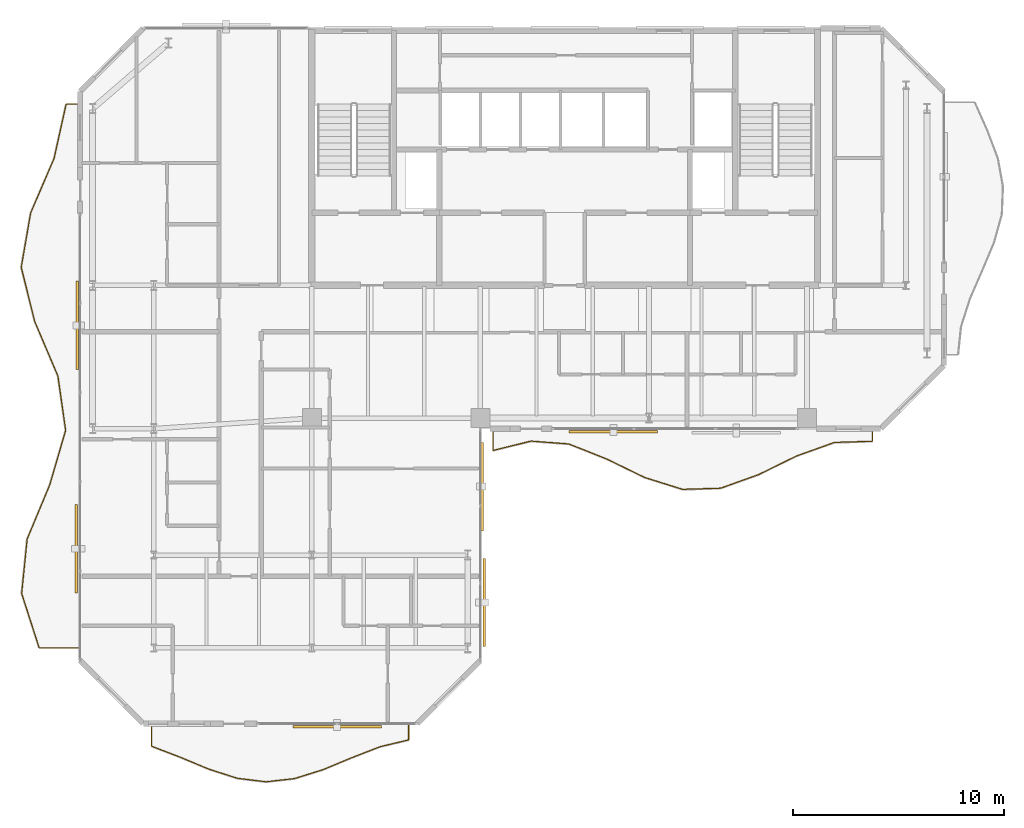
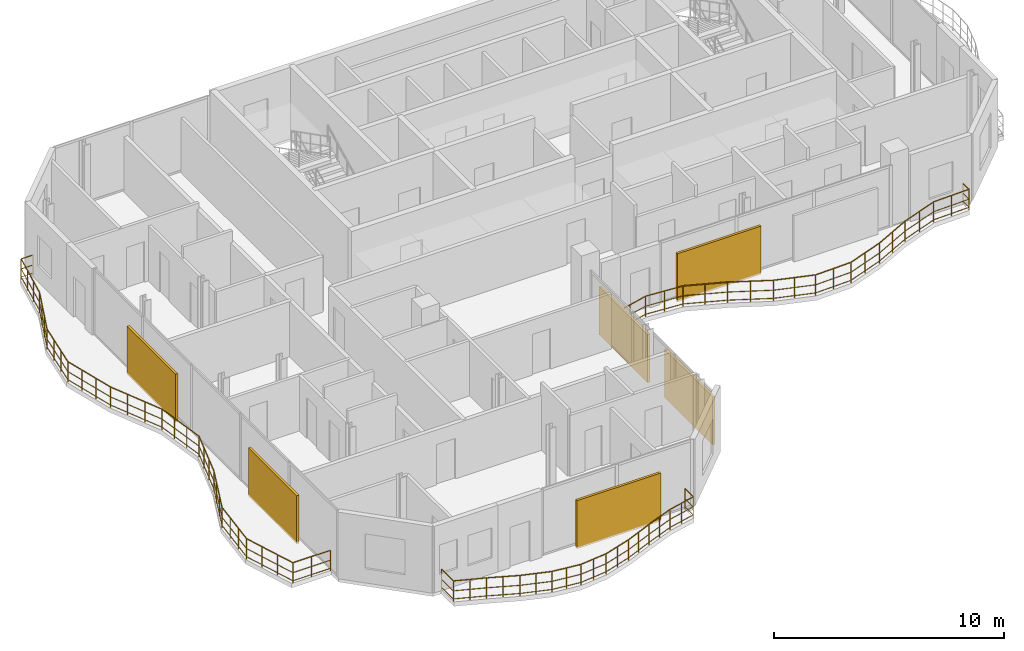
# One storey, part 21 of 22: 6 shading devices, 3 railings.
"""IFC4 building model written with IfcOpenShell, lengths in metres."""

from ifc_helpers import new_model, si_unit, direction, frame, origin, origin_2d, place, context, subcontext, project, spatial, rectangle, circle, extrude, material, type_object, element, save


model = new_model("IFC4")

# Units and contexts
model_context = context("Model", 3, precision=1e-05, world=origin(), true_north=direction((0.0, 1.0)))
body_context = subcontext(model_context, "Body", "Model", "MODEL_VIEW")
ifc_project = project(units=[si_unit("LENGTHUNIT", "METRE"), si_unit("AREAUNIT", "SQUARE_METRE"), si_unit("VOLUMEUNIT", "CUBIC_METRE"), si_unit("PLANEANGLEUNIT", "RADIAN"), si_unit("MASSUNIT", "GRAM", prefix="KILO")], contexts=[model_context])

# Site, building, storey
site_placement = place(None, origin())
site = spatial("IfcSite", under=ifc_project, at=site_placement, CompositionType="ELEMENT")
building_placement = place(site_placement, origin())
building = spatial("IfcBuilding", under=site, at=building_placement, Name="Catumbela Crestline Tower", CompositionType="ELEMENT")
storey_placement = place(building_placement, frame((0.0, 0.0, 222.2)))
storey = spatial("IfcBuildingStorey", under=building, at=storey_placement, Name="L57", CompositionType="ELEMENT", Elevation=222.2)

# Railings
ifc_material_1 = material(Name="Stainless steel EN 1.4401", Category="steel")
railing_type = type_object("IfcRailingType", Name="RB-1100", PredefinedType="BALUSTRADE", material=ifc_material_1)
railing_1_placement = place(storey_placement, frame((24.6, 23.94, 0.0)))
element("IfcRailing", 1, at=railing_1_placement, inside=storey, type_object=railing_type, Name="L57 Private Wave Balcony Balustrade 1", PredefinedType="BALUSTRADE", context=body_context, shape_type="SweptSolid", body=[
    extrude(circle(Radius=0.024, at=origin_2d()), frame((0.0, 0.0, 1.076), z_axis=(0.0, -1.0, 0.0), x_axis=(1.0, 0.0, 0.0)), (0.0, 0.0, 1.0), 0.9747),
    extrude(circle(Radius=0.0156, at=origin_2d()), frame((0.0, 0.0, 0.55), z_axis=(0.0, -1.0, 0.0), x_axis=(1.0, 0.0, 0.0)), (0.0, 0.0, 1.0), 0.9747),
    extrude(circle(Radius=0.0156, at=origin_2d()), frame((0.0, 0.0, 0.12), z_axis=(0.0, -1.0, 0.0), x_axis=(1.0, 0.0, 0.0)), (0.0, 0.0, 1.0), 0.9747),
    extrude(circle(Radius=0.024, at=origin_2d()), frame((0.0, -0.9747, 1.076), z_axis=(0.97081135802, 0.239844339395, 0.0), x_axis=(-0.239844339395, 0.97081135802, 0.0)), (0.0, 0.0, 1.0), 1.8541),
    extrude(circle(Radius=0.0156, at=origin_2d()), frame((0.0, -0.9747, 0.55), z_axis=(0.97081135802, 0.239844339395, 0.0), x_axis=(-0.239844339395, 0.97081135802, 0.0)), (0.0, 0.0, 1.0), 1.8541),
    extrude(circle(Radius=0.0156, at=origin_2d()), frame((0.0, -0.9747, 0.12), z_axis=(0.97081135802, 0.239844339395, 0.0), x_axis=(-0.239844339395, 0.97081135802, 0.0)), (0.0, 0.0, 1.0), 1.8541),
    extrude(circle(Radius=0.024, at=origin_2d()), frame((1.8, -0.53, 1.076), z_axis=(0.9971244509, -0.075781458268, 0.0), x_axis=(0.075781458268, 0.9971244509, 0.0)), (0.0, 0.0, 1.0), 1.8052),
    extrude(circle(Radius=0.0156, at=origin_2d()), frame((1.8, -0.53, 0.55), z_axis=(0.9971244509, -0.075781458268, 0.0), x_axis=(0.075781458268, 0.9971244509, 0.0)), (0.0, 0.0, 1.0), 1.8052),
    extrude(circle(Radius=0.0156, at=origin_2d()), frame((1.8, -0.53, 0.12), z_axis=(0.9971244509, -0.075781458268, 0.0), x_axis=(0.075781458268, 0.9971244509, 0.0)), (0.0, 0.0, 1.0), 1.8052),
    extrude(circle(Radius=0.024, at=origin_2d()), frame((3.6, -0.6668, 1.076), z_axis=(0.929399644581, -0.369074925526, 0.0), x_axis=(0.369074925526, 0.929399644581, 0.0)), (0.0, 0.0, 1.0), 1.9367),
    extrude(circle(Radius=0.0156, at=origin_2d()), frame((3.6, -0.6668, 0.55), z_axis=(0.929399644581, -0.369074925526, 0.0), x_axis=(0.369074925526, 0.929399644581, 0.0)), (0.0, 0.0, 1.0), 1.9367),
    extrude(circle(Radius=0.0156, at=origin_2d()), frame((3.6, -0.6668, 0.12), z_axis=(0.929399644581, -0.369074925526, 0.0), x_axis=(0.369074925526, 0.929399644581, 0.0)), (0.0, 0.0, 1.0), 1.9367),
    extrude(circle(Radius=0.024, at=origin_2d()), frame((5.4, -1.3816, 1.076), z_axis=(0.899073055886, -0.437798629714, 0.0), x_axis=(0.437798629714, 0.899073055886, 0.0)), (0.0, 0.0, 1.0), 2.0021),
    extrude(circle(Radius=0.0156, at=origin_2d()), frame((5.4, -1.3816, 0.55), z_axis=(0.899073055886, -0.437798629714, 0.0), x_axis=(0.437798629714, 0.899073055886, 0.0)), (0.0, 0.0, 1.0), 2.0021),
    extrude(circle(Radius=0.0156, at=origin_2d()), frame((5.4, -1.3816, 0.12), z_axis=(0.899073055886, -0.437798629714, 0.0), x_axis=(0.437798629714, 0.899073055886, 0.0)), (0.0, 0.0, 1.0), 2.0021),
    extrude(circle(Radius=0.024, at=origin_2d()), frame((7.2, -2.2581, 1.076), z_axis=(0.954374253933, -0.298613099897, 0.0), x_axis=(0.298613099897, 0.954374253933, 0.0)), (0.0, 0.0, 1.0), 1.8861),
    extrude(circle(Radius=0.0156, at=origin_2d()), frame((7.2, -2.2581, 0.55), z_axis=(0.954374253933, -0.298613099897, 0.0), x_axis=(0.298613099897, 0.954374253933, 0.0)), (0.0, 0.0, 1.0), 1.8861),
    extrude(circle(Radius=0.0156, at=origin_2d()), frame((7.2, -2.2581, 0.12), z_axis=(0.954374253933, -0.298613099897, 0.0), x_axis=(0.298613099897, 0.954374253933, 0.0)), (0.0, 0.0, 1.0), 1.8861),
    extrude(circle(Radius=0.024, at=origin_2d()), frame((9.0, -2.8213, 1.076), z_axis=(0.999524991442, 0.030818687236, 0.0), x_axis=(-0.030818687236, 0.999524991442, 0.0)), (0.0, 0.0, 1.0), 1.8009),
    extrude(circle(Radius=0.0156, at=origin_2d()), frame((9.0, -2.8213, 0.55), z_axis=(0.999524991442, 0.030818687236, 0.0), x_axis=(-0.030818687236, 0.999524991442, 0.0)), (0.0, 0.0, 1.0), 1.8009),
    extrude(circle(Radius=0.0156, at=origin_2d()), frame((9.0, -2.8213, 0.12), z_axis=(0.999524991442, 0.030818687236, 0.0), x_axis=(-0.030818687236, 0.999524991442, 0.0)), (0.0, 0.0, 1.0), 1.8009),
    extrude(circle(Radius=0.024, at=origin_2d()), frame((10.8, -2.7658, 1.076), z_axis=(0.941535818516, 0.336912900392, 0.0), x_axis=(-0.336912900392, 0.941535818516, 0.0)), (0.0, 0.0, 1.0), 1.9118),
    extrude(circle(Radius=0.0156, at=origin_2d()), frame((10.8, -2.7658, 0.55), z_axis=(0.941535818516, 0.336912900392, 0.0), x_axis=(-0.336912900392, 0.941535818516, 0.0)), (0.0, 0.0, 1.0), 1.9118),
    extrude(circle(Radius=0.0156, at=origin_2d()), frame((10.8, -2.7658, 0.12), z_axis=(0.941535818516, 0.336912900392, 0.0), x_axis=(-0.336912900392, 0.941535818516, 0.0)), (0.0, 0.0, 1.0), 1.9118),
    extrude(circle(Radius=0.024, at=origin_2d()), frame((12.6, -2.1217, 1.076), z_axis=(0.897714236936, 0.440578198283, 0.0), x_axis=(-0.440578198283, 0.897714236936, 0.0)), (0.0, 0.0, 1.0), 2.0051),
    extrude(circle(Radius=0.0156, at=origin_2d()), frame((12.6, -2.1217, 0.55), z_axis=(0.897714236936, 0.440578198283, 0.0), x_axis=(-0.440578198283, 0.897714236936, 0.0)), (0.0, 0.0, 1.0), 2.0051),
    extrude(circle(Radius=0.0156, at=origin_2d()), frame((12.6, -2.1217, 0.12), z_axis=(0.897714236936, 0.440578198283, 0.0), x_axis=(-0.440578198283, 0.897714236936, 0.0)), (0.0, 0.0, 1.0), 2.0051),
    extrude(circle(Radius=0.024, at=origin_2d()), frame((14.4, -1.2383, 1.076), z_axis=(0.941535818516, 0.336912900392, 0.0), x_axis=(-0.336912900392, 0.941535818516, 0.0)), (0.0, 0.0, 1.0), 1.9118),
    extrude(circle(Radius=0.0156, at=origin_2d()), frame((14.4, -1.2383, 0.55), z_axis=(0.941535818516, 0.336912900392, 0.0), x_axis=(-0.336912900392, 0.941535818516, 0.0)), (0.0, 0.0, 1.0), 1.9118),
    extrude(circle(Radius=0.0156, at=origin_2d()), frame((14.4, -1.2383, 0.12), z_axis=(0.941535818516, 0.336912900392, 0.0), x_axis=(-0.336912900392, 0.941535818516, 0.0)), (0.0, 0.0, 1.0), 1.9118),
    extrude(circle(Radius=0.024, at=origin_2d()), frame((16.2, -0.5942, 1.076), z_axis=(0.999524991442, 0.030818687236, 0.0), x_axis=(-0.030818687236, 0.999524991442, 0.0)), (0.0, 0.0, 1.0), 1.8009),
    extrude(circle(Radius=0.0156, at=origin_2d()), frame((16.2, -0.5942, 0.55), z_axis=(0.999524991442, 0.030818687236, 0.0), x_axis=(-0.030818687236, 0.999524991442, 0.0)), (0.0, 0.0, 1.0), 1.8009),
    extrude(circle(Radius=0.0156, at=origin_2d()), frame((16.2, -0.5942, 0.12), z_axis=(0.999524991442, 0.030818687236, 0.0), x_axis=(-0.030818687236, 0.999524991442, 0.0)), (0.0, 0.0, 1.0), 1.8009),
    extrude(circle(Radius=0.024, at=origin_2d()), frame((18.0, -0.5387, 1.076), z_axis=(0.0, 1.0, 0.0), x_axis=(-1.0, 0.0, 0.0)), (0.0, 0.0, 1.0), 0.5387),
    extrude(circle(Radius=0.0156, at=origin_2d()), frame((18.0, -0.5387, 0.55), z_axis=(0.0, 1.0, 0.0), x_axis=(-1.0, 0.0, 0.0)), (0.0, 0.0, 1.0), 0.5387),
    extrude(circle(Radius=0.0156, at=origin_2d()), frame((18.0, -0.5387, 0.12), z_axis=(0.0, 1.0, 0.0), x_axis=(-1.0, 0.0, 0.0)), (0.0, 0.0, 1.0), 0.5387),
    extrude(circle(Radius=0.021, at=origin_2d()), origin(), (0.0, 0.0, 1.0), 1.052),
    extrude(circle(Radius=0.021, at=origin_2d()), frame((0.0, -0.9747, 0.0)), (0.0, 0.0, 1.0), 1.052),
    extrude(circle(Radius=0.021, at=origin_2d()), frame((0.9, -0.7524, 0.0)), (0.0, 0.0, 1.0), 1.052),
    extrude(circle(Radius=0.021, at=origin_2d()), frame((1.8, -0.53, 0.0)), (0.0, 0.0, 1.0), 1.052),
    extrude(circle(Radius=0.021, at=origin_2d()), frame((2.7, -0.5984, 0.0)), (0.0, 0.0, 1.0), 1.052),
    extrude(circle(Radius=0.021, at=origin_2d()), frame((3.6, -0.6668, 0.0)), (0.0, 0.0, 1.0), 1.052),
    extrude(circle(Radius=0.021, at=origin_2d()), frame((4.5, -1.0242, 0.0)), (0.0, 0.0, 1.0), 1.052),
    extrude(circle(Radius=0.021, at=origin_2d()), frame((5.4, -1.3816, 0.0)), (0.0, 0.0, 1.0), 1.052),
    extrude(circle(Radius=0.021, at=origin_2d()), frame((6.3, -1.8199, 0.0)), (0.0, 0.0, 1.0), 1.052),
    extrude(circle(Radius=0.021, at=origin_2d()), frame((7.2, -2.2581, 0.0)), (0.0, 0.0, 1.0), 1.052),
    extrude(circle(Radius=0.021, at=origin_2d()), frame((8.1, -2.5397, 0.0)), (0.0, 0.0, 1.0), 1.052),
    extrude(circle(Radius=0.021, at=origin_2d()), frame((9.0, -2.8213, 0.0)), (0.0, 0.0, 1.0), 1.052),
    extrude(circle(Radius=0.021, at=origin_2d()), frame((9.9, -2.7936, 0.0)), (0.0, 0.0, 1.0), 1.052),
    extrude(circle(Radius=0.021, at=origin_2d()), frame((10.8, -2.7658, 0.0)), (0.0, 0.0, 1.0), 1.052),
    extrude(circle(Radius=0.021, at=origin_2d()), frame((11.7, -2.4438, 0.0)), (0.0, 0.0, 1.0), 1.052),
    extrude(circle(Radius=0.021, at=origin_2d()), frame((12.6, -2.1217, 0.0)), (0.0, 0.0, 1.0), 1.052),
    extrude(circle(Radius=0.021, at=origin_2d()), frame((13.5, -1.68, 0.0)), (0.0, 0.0, 1.0), 1.052),
    extrude(circle(Radius=0.021, at=origin_2d()), frame((14.4, -1.2383, 0.0)), (0.0, 0.0, 1.0), 1.052),
    extrude(circle(Radius=0.021, at=origin_2d()), frame((15.3, -0.9163, 0.0)), (0.0, 0.0, 1.0), 1.052),
    extrude(circle(Radius=0.021, at=origin_2d()), frame((16.2, -0.5942, 0.0)), (0.0, 0.0, 1.0), 1.052),
    extrude(circle(Radius=0.021, at=origin_2d()), frame((17.1, -0.5665, 0.0)), (0.0, 0.0, 1.0), 1.052),
    extrude(circle(Radius=0.021, at=origin_2d()), frame((18.0, -0.5387, 0.0)), (0.0, 0.0, 1.0), 1.052),
    extrude(circle(Radius=0.021, at=origin_2d()), frame((18.0, 0.0, 0.0)), (0.0, 0.0, 1.0), 1.052),
])
railing_2_placement = place(storey_placement, frame((8.4, 9.94, 0.0)))
element("IfcRailing", 2, at=railing_2_placement, inside=storey, type_object=railing_type, Name="L57 Private Wave Balcony Balustrade 3", PredefinedType="BALUSTRADE", context=body_context, shape_type="SweptSolid", body=[
    extrude(circle(Radius=0.024, at=origin_2d()), frame((0.0, 0.0, 1.076), z_axis=(0.0, -1.0, 0.0), x_axis=(1.0, 0.0, 0.0)), (0.0, 0.0, 1.0), 1.0126),
    extrude(circle(Radius=0.0156, at=origin_2d()), frame((0.0, 0.0, 0.55), z_axis=(0.0, -1.0, 0.0), x_axis=(1.0, 0.0, 0.0)), (0.0, 0.0, 1.0), 1.0126),
    extrude(circle(Radius=0.0156, at=origin_2d()), frame((0.0, 0.0, 0.12), z_axis=(0.0, -1.0, 0.0), x_axis=(1.0, 0.0, 0.0)), (0.0, 0.0, 1.0), 1.0126),
    extrude(circle(Radius=0.024, at=origin_2d()), frame((0.0, -1.0126, 1.076), z_axis=(0.933756860318, -0.357907985115, 0.0), x_axis=(0.357907985115, 0.933756860318, 0.0)), (0.0, 0.0, 1.0), 1.4518),
    extrude(circle(Radius=0.0156, at=origin_2d()), frame((0.0, -1.0126, 0.55), z_axis=(0.933756860318, -0.357907985115, 0.0), x_axis=(0.357907985115, 0.933756860318, 0.0)), (0.0, 0.0, 1.0), 1.4518),
    extrude(circle(Radius=0.0156, at=origin_2d()), frame((0.0, -1.0126, 0.12), z_axis=(0.933756860318, -0.357907985115, 0.0), x_axis=(0.357907985115, 0.933756860318, 0.0)), (0.0, 0.0, 1.0), 1.4518),
    extrude(circle(Radius=0.024, at=origin_2d()), frame((1.3556, -1.5322, 1.076), z_axis=(0.922808814946, -0.385258213484, 0.0), x_axis=(0.385258213484, 0.922808814946, 0.0)), (0.0, 0.0, 1.0), 1.4689),
    extrude(circle(Radius=0.0156, at=origin_2d()), frame((1.3556, -1.5322, 0.55), z_axis=(0.922808814946, -0.385258213484, 0.0), x_axis=(0.385258213484, 0.922808814946, 0.0)), (0.0, 0.0, 1.0), 1.4689),
    extrude(circle(Radius=0.0156, at=origin_2d()), frame((1.3556, -1.5322, 0.12), z_axis=(0.922808814946, -0.385258213484, 0.0), x_axis=(0.385258213484, 0.922808814946, 0.0)), (0.0, 0.0, 1.0), 1.4689),
    extrude(circle(Radius=0.024, at=origin_2d()), frame((2.7111, -2.0981, 1.076), z_axis=(0.952238826907, -0.305354247607, 0.0), x_axis=(0.305354247607, 0.952238826907, 0.0)), (0.0, 0.0, 1.0), 1.4236),
    extrude(circle(Radius=0.0156, at=origin_2d()), frame((2.7111, -2.0981, 0.55), z_axis=(0.952238826907, -0.305354247607, 0.0), x_axis=(0.305354247607, 0.952238826907, 0.0)), (0.0, 0.0, 1.0), 1.4236),
    extrude(circle(Radius=0.0156, at=origin_2d()), frame((2.7111, -2.0981, 0.12), z_axis=(0.952238826907, -0.305354247607, 0.0), x_axis=(0.305354247607, 0.952238826907, 0.0)), (0.0, 0.0, 1.0), 1.4236),
    extrude(circle(Radius=0.024, at=origin_2d()), frame((4.0667, -2.5328, 1.076), z_axis=(0.992487091948, -0.122349386252, 0.0), x_axis=(0.122349386252, 0.992487091948, 0.0)), (0.0, 0.0, 1.0), 1.3658),
    extrude(circle(Radius=0.0156, at=origin_2d()), frame((4.0667, -2.5328, 0.55), z_axis=(0.992487091948, -0.122349386252, 0.0), x_axis=(0.122349386252, 0.992487091948, 0.0)), (0.0, 0.0, 1.0), 1.3658),
    extrude(circle(Radius=0.0156, at=origin_2d()), frame((4.0667, -2.5328, 0.12), z_axis=(0.992487091948, -0.122349386252, 0.0), x_axis=(0.122349386252, 0.992487091948, 0.0)), (0.0, 0.0, 1.0), 1.3658),
    extrude(circle(Radius=0.024, at=origin_2d()), frame((5.4222, -2.6999, 1.076), z_axis=(0.993690941314, 0.112153079095, 0.0), x_axis=(-0.112153079095, 0.993690941314, 0.0)), (0.0, 0.0, 1.0), 1.3642),
    extrude(circle(Radius=0.0156, at=origin_2d()), frame((5.4222, -2.6999, 0.55), z_axis=(0.993690941314, 0.112153079095, 0.0), x_axis=(-0.112153079095, 0.993690941314, 0.0)), (0.0, 0.0, 1.0), 1.3642),
    extrude(circle(Radius=0.0156, at=origin_2d()), frame((5.4222, -2.6999, 0.12), z_axis=(0.993690941314, 0.112153079095, 0.0), x_axis=(-0.112153079095, 0.993690941314, 0.0)), (0.0, 0.0, 1.0), 1.3642),
    extrude(circle(Radius=0.024, at=origin_2d()), frame((6.7778, -2.5469, 1.076), z_axis=(0.954177625861, 0.299240803212, 0.0), x_axis=(-0.299240803212, 0.954177625861, 0.0)), (0.0, 0.0, 1.0), 1.4206),
    extrude(circle(Radius=0.0156, at=origin_2d()), frame((6.7778, -2.5469, 0.55), z_axis=(0.954177625861, 0.299240803212, 0.0), x_axis=(-0.299240803212, 0.954177625861, 0.0)), (0.0, 0.0, 1.0), 1.4206),
    extrude(circle(Radius=0.0156, at=origin_2d()), frame((6.7778, -2.5469, 0.12), z_axis=(0.954177625861, 0.299240803212, 0.0), x_axis=(-0.299240803212, 0.954177625861, 0.0)), (0.0, 0.0, 1.0), 1.4206),
    extrude(circle(Radius=0.024, at=origin_2d()), frame((8.1333, -2.1218, 1.076), z_axis=(0.92335075611, 0.383957525243, 0.0), x_axis=(-0.383957525243, 0.92335075611, 0.0)), (0.0, 0.0, 1.0), 1.4681),
    extrude(circle(Radius=0.0156, at=origin_2d()), frame((8.1333, -2.1218, 0.55), z_axis=(0.92335075611, 0.383957525243, 0.0), x_axis=(-0.383957525243, 0.92335075611, 0.0)), (0.0, 0.0, 1.0), 1.4681),
    extrude(circle(Radius=0.0156, at=origin_2d()), frame((8.1333, -2.1218, 0.12), z_axis=(0.92335075611, 0.383957525243, 0.0), x_axis=(-0.383957525243, 0.92335075611, 0.0)), (0.0, 0.0, 1.0), 1.4681),
    extrude(circle(Radius=0.024, at=origin_2d()), frame((9.4889, -1.5581, 1.076), z_axis=(0.932384965915, 0.361466838501, 0.0), x_axis=(-0.361466838501, 0.932384965915, 0.0)), (0.0, 0.0, 1.0), 1.4538),
    extrude(circle(Radius=0.0156, at=origin_2d()), frame((9.4889, -1.5581, 0.55), z_axis=(0.932384965915, 0.361466838501, 0.0), x_axis=(-0.361466838501, 0.932384965915, 0.0)), (0.0, 0.0, 1.0), 1.4538),
    extrude(circle(Radius=0.0156, at=origin_2d()), frame((9.4889, -1.5581, 0.12), z_axis=(0.932384965915, 0.361466838501, 0.0), x_axis=(-0.361466838501, 0.932384965915, 0.0)), (0.0, 0.0, 1.0), 1.4538),
    extrude(circle(Radius=0.024, at=origin_2d()), frame((10.8444, -1.0326, 1.076), z_axis=(0.972880857793, 0.231306801761, 0.0), x_axis=(-0.231306801761, 0.972880857793, 0.0)), (0.0, 0.0, 1.0), 1.3934),
    extrude(circle(Radius=0.0156, at=origin_2d()), frame((10.8444, -1.0326, 0.55), z_axis=(0.972880857793, 0.231306801761, 0.0), x_axis=(-0.231306801761, 0.972880857793, 0.0)), (0.0, 0.0, 1.0), 1.3934),
    extrude(circle(Radius=0.0156, at=origin_2d()), frame((10.8444, -1.0326, 0.12), z_axis=(0.972880857793, 0.231306801761, 0.0), x_axis=(-0.231306801761, 0.972880857793, 0.0)), (0.0, 0.0, 1.0), 1.3934),
    extrude(circle(Radius=0.024, at=origin_2d()), frame((12.2, -0.7103, 1.076), z_axis=(0.0, 1.0, 0.0), x_axis=(-1.0, 0.0, 0.0)), (0.0, 0.0, 1.0), 0.7103),
    extrude(circle(Radius=0.0156, at=origin_2d()), frame((12.2, -0.7103, 0.55), z_axis=(0.0, 1.0, 0.0), x_axis=(-1.0, 0.0, 0.0)), (0.0, 0.0, 1.0), 0.7103),
    extrude(circle(Radius=0.0156, at=origin_2d()), frame((12.2, -0.7103, 0.12), z_axis=(0.0, 1.0, 0.0), x_axis=(-1.0, 0.0, 0.0)), (0.0, 0.0, 1.0), 0.7103),
    extrude(circle(Radius=0.021, at=origin_2d()), origin(), (0.0, 0.0, 1.0), 1.052),
    extrude(circle(Radius=0.021, at=origin_2d()), frame((0.0, -1.0126, 0.0)), (0.0, 0.0, 1.0), 1.052),
    extrude(circle(Radius=0.021, at=origin_2d()), frame((0.6778, -1.2724, 0.0)), (0.0, 0.0, 1.0), 1.052),
    extrude(circle(Radius=0.021, at=origin_2d()), frame((1.3556, -1.5322, 0.0)), (0.0, 0.0, 1.0), 1.052),
    extrude(circle(Radius=0.021, at=origin_2d()), frame((2.0333, -1.8151, 0.0)), (0.0, 0.0, 1.0), 1.052),
    extrude(circle(Radius=0.021, at=origin_2d()), frame((2.7111, -2.0981, 0.0)), (0.0, 0.0, 1.0), 1.052),
    extrude(circle(Radius=0.021, at=origin_2d()), frame((3.3889, -2.3154, 0.0)), (0.0, 0.0, 1.0), 1.052),
    extrude(circle(Radius=0.021, at=origin_2d()), frame((4.0667, -2.5328, 0.0)), (0.0, 0.0, 1.0), 1.052),
    extrude(circle(Radius=0.021, at=origin_2d()), frame((4.7444, -2.6163, 0.0)), (0.0, 0.0, 1.0), 1.052),
    extrude(circle(Radius=0.021, at=origin_2d()), frame((5.4222, -2.6999, 0.0)), (0.0, 0.0, 1.0), 1.052),
    extrude(circle(Radius=0.021, at=origin_2d()), frame((6.1, -2.6234, 0.0)), (0.0, 0.0, 1.0), 1.052),
    extrude(circle(Radius=0.021, at=origin_2d()), frame((6.7778, -2.5469, 0.0)), (0.0, 0.0, 1.0), 1.052),
    extrude(circle(Radius=0.021, at=origin_2d()), frame((7.4556, -2.3343, 0.0)), (0.0, 0.0, 1.0), 1.052),
    extrude(circle(Radius=0.021, at=origin_2d()), frame((8.1333, -2.1218, 0.0)), (0.0, 0.0, 1.0), 1.052),
    extrude(circle(Radius=0.021, at=origin_2d()), frame((8.8111, -1.8399, 0.0)), (0.0, 0.0, 1.0), 1.052),
    extrude(circle(Radius=0.021, at=origin_2d()), frame((9.4889, -1.5581, 0.0)), (0.0, 0.0, 1.0), 1.052),
    extrude(circle(Radius=0.021, at=origin_2d()), frame((10.1666, -1.2953, 0.0)), (0.0, 0.0, 1.0), 1.052),
    extrude(circle(Radius=0.021, at=origin_2d()), frame((10.8444, -1.0326, 0.0)), (0.0, 0.0, 1.0), 1.052),
    extrude(circle(Radius=0.021, at=origin_2d()), frame((11.5222, -0.8714, 0.0)), (0.0, 0.0, 1.0), 1.052),
    extrude(circle(Radius=0.021, at=origin_2d()), frame((12.2, -0.7103, 0.0)), (0.0, 0.0, 1.0), 1.052),
    extrude(circle(Radius=0.021, at=origin_2d()), frame((12.2, 0.0, 0.0)), (0.0, 0.0, 1.0), 1.052),
])
railing_3_placement = place(storey_placement, frame((4.94, 39.4, 0.0)))
element("IfcRailing", 3, at=railing_3_placement, inside=storey, type_object=railing_type, Name="L57 Private Wave Balcony Balustrade 4", PredefinedType="BALUSTRADE", context=body_context, shape_type="SweptSolid", body=[
    extrude(circle(Radius=0.024, at=origin_2d()), frame((0.0, 0.0, 1.076), z_axis=(-1.0, 0.0, 0.0), x_axis=(0.0, -1.0, 0.0)), (0.0, 0.0, 1.0), 0.6),
    extrude(circle(Radius=0.0156, at=origin_2d()), frame((0.0, 0.0, 0.55), z_axis=(-1.0, 0.0, 0.0), x_axis=(0.0, -1.0, 0.0)), (0.0, 0.0, 1.0), 0.6),
    extrude(circle(Radius=0.0156, at=origin_2d()), frame((0.0, 0.0, 0.12), z_axis=(-1.0, 0.0, 0.0), x_axis=(0.0, -1.0, 0.0)), (0.0, 0.0, 1.0), 0.6),
    extrude(circle(Radius=0.024, at=origin_2d()), frame((-0.6, 0.0, 1.076), z_axis=(-0.21691843905, -0.976189730944, 0.0), x_axis=(0.976189730944, -0.21691843905, 0.0)), (0.0, 0.0, 1.0), 2.6429),
    extrude(circle(Radius=0.0156, at=origin_2d()), frame((-0.6, 0.0, 0.55), z_axis=(-0.21691843905, -0.976189730944, 0.0), x_axis=(0.976189730944, -0.21691843905, 0.0)), (0.0, 0.0, 1.0), 2.6429),
    extrude(circle(Radius=0.0156, at=origin_2d()), frame((-0.6, 0.0, 0.12), z_axis=(-0.21691843905, -0.976189730944, 0.0), x_axis=(0.976189730944, -0.21691843905, 0.0)), (0.0, 0.0, 1.0), 2.6429),
    extrude(circle(Radius=0.024, at=origin_2d()), frame((-1.1733, -2.58, 1.076), z_axis=(-0.395117897707, -0.918630419108, 0.0), x_axis=(0.918630419108, -0.395117897707, 0.0)), (0.0, 0.0, 1.0), 2.8085),
    extrude(circle(Radius=0.0156, at=origin_2d()), frame((-1.1733, -2.58, 0.55), z_axis=(-0.395117897707, -0.918630419108, 0.0), x_axis=(0.918630419108, -0.395117897707, 0.0)), (0.0, 0.0, 1.0), 2.8085),
    extrude(circle(Radius=0.0156, at=origin_2d()), frame((-1.1733, -2.58, 0.12), z_axis=(-0.395117897707, -0.918630419108, 0.0), x_axis=(0.918630419108, -0.395117897707, 0.0)), (0.0, 0.0, 1.0), 2.8085),
    extrude(circle(Radius=0.024, at=origin_2d()), frame((-2.283, -5.16, 1.076), z_axis=(-0.170712569492, -0.985320870893, 0.0), x_axis=(0.985320870893, -0.170712569492, 0.0)), (0.0, 0.0, 1.0), 2.6184),
    extrude(circle(Radius=0.0156, at=origin_2d()), frame((-2.283, -5.16, 0.55), z_axis=(-0.170712569492, -0.985320870893, 0.0), x_axis=(0.985320870893, -0.170712569492, 0.0)), (0.0, 0.0, 1.0), 2.6184),
    extrude(circle(Radius=0.0156, at=origin_2d()), frame((-2.283, -5.16, 0.12), z_axis=(-0.170712569492, -0.985320870893, 0.0), x_axis=(0.985320870893, -0.170712569492, 0.0)), (0.0, 0.0, 1.0), 2.6184),
    extrude(circle(Radius=0.024, at=origin_2d()), frame((-2.73, -7.74, 1.076), z_axis=(0.241331788548, -0.970442665919, 0.0), x_axis=(0.970442665919, 0.241331788548, 0.0)), (0.0, 0.0, 1.0), 2.6586),
    extrude(circle(Radius=0.0156, at=origin_2d()), frame((-2.73, -7.74, 0.55), z_axis=(0.241331788548, -0.970442665919, 0.0), x_axis=(0.970442665919, 0.241331788548, 0.0)), (0.0, 0.0, 1.0), 2.6586),
    extrude(circle(Radius=0.0156, at=origin_2d()), frame((-2.73, -7.74, 0.12), z_axis=(0.241331788548, -0.970442665919, 0.0), x_axis=(0.970442665919, 0.241331788548, 0.0)), (0.0, 0.0, 1.0), 2.6586),
    extrude(circle(Radius=0.024, at=origin_2d()), frame((-2.0884, -10.32, 1.076), z_axis=(0.391684292578, -0.920099676637, 0.0), x_axis=(0.920099676637, 0.391684292578, 0.0)), (0.0, 0.0, 1.0), 2.804),
    extrude(circle(Radius=0.0156, at=origin_2d()), frame((-2.0884, -10.32, 0.55), z_axis=(0.391684292578, -0.920099676637, 0.0), x_axis=(0.920099676637, 0.391684292578, 0.0)), (0.0, 0.0, 1.0), 2.804),
    extrude(circle(Radius=0.0156, at=origin_2d()), frame((-2.0884, -10.32, 0.12), z_axis=(0.391684292578, -0.920099676637, 0.0), x_axis=(0.920099676637, 0.391684292578, 0.0)), (0.0, 0.0, 1.0), 2.804),
    extrude(circle(Radius=0.024, at=origin_2d()), frame((-0.9901, -12.9, 1.076), z_axis=(0.14120647349, -0.9899801674, 0.0), x_axis=(0.9899801674, 0.14120647349, 0.0)), (0.0, 0.0, 1.0), 2.6061),
    extrude(circle(Radius=0.0156, at=origin_2d()), frame((-0.9901, -12.9, 0.55), z_axis=(0.14120647349, -0.9899801674, 0.0), x_axis=(0.9899801674, 0.14120647349, 0.0)), (0.0, 0.0, 1.0), 2.6061),
    extrude(circle(Radius=0.0156, at=origin_2d()), frame((-0.9901, -12.9, 0.12), z_axis=(0.14120647349, -0.9899801674, 0.0), x_axis=(0.9899801674, 0.14120647349, 0.0)), (0.0, 0.0, 1.0), 2.6061),
    extrude(circle(Radius=0.024, at=origin_2d()), frame((-0.6221, -15.48, 1.076), z_axis=(-0.279794228152, -0.960059992861, 0.0), x_axis=(0.960059992861, -0.279794228152, 0.0)), (0.0, 0.0, 1.0), 2.6873),
    extrude(circle(Radius=0.0156, at=origin_2d()), frame((-0.6221, -15.48, 0.55), z_axis=(-0.279794228152, -0.960059992861, 0.0), x_axis=(0.960059992861, -0.279794228152, 0.0)), (0.0, 0.0, 1.0), 2.6873),
    extrude(circle(Radius=0.0156, at=origin_2d()), frame((-0.6221, -15.48, 0.12), z_axis=(-0.279794228152, -0.960059992861, 0.0), x_axis=(0.960059992861, -0.279794228152, 0.0)), (0.0, 0.0, 1.0), 2.6873),
    extrude(circle(Radius=0.024, at=origin_2d()), frame((-1.374, -18.06, 1.076), z_axis=(-0.384859228707, -0.922975283569, 0.0), x_axis=(0.922975283569, -0.384859228707, 0.0)), (0.0, 0.0, 1.0), 2.7953),
    extrude(circle(Radius=0.0156, at=origin_2d()), frame((-1.374, -18.06, 0.55), z_axis=(-0.384859228707, -0.922975283569, 0.0), x_axis=(0.922975283569, -0.384859228707, 0.0)), (0.0, 0.0, 1.0), 2.7953),
    extrude(circle(Radius=0.0156, at=origin_2d()), frame((-1.374, -18.06, 0.12), z_axis=(-0.384859228707, -0.922975283569, 0.0), x_axis=(0.922975283569, -0.384859228707, 0.0)), (0.0, 0.0, 1.0), 2.7953),
    extrude(circle(Radius=0.024, at=origin_2d()), frame((-2.4498, -20.64, 1.076), z_axis=(-0.100610912369, -0.99492584865, 0.0), x_axis=(0.99492584865, -0.100610912369, 0.0)), (0.0, 0.0, 1.0), 2.5932),
    extrude(circle(Radius=0.0156, at=origin_2d()), frame((-2.4498, -20.64, 0.55), z_axis=(-0.100610912369, -0.99492584865, 0.0), x_axis=(0.99492584865, -0.100610912369, 0.0)), (0.0, 0.0, 1.0), 2.5932),
    extrude(circle(Radius=0.0156, at=origin_2d()), frame((-2.4498, -20.64, 0.12), z_axis=(-0.100610912369, -0.99492584865, 0.0), x_axis=(0.99492584865, -0.100610912369, 0.0)), (0.0, 0.0, 1.0), 2.5932),
    extrude(circle(Radius=0.024, at=origin_2d()), frame((-2.7107, -23.22, 1.076), z_axis=(0.306314915222, -0.951930235213, 0.0), x_axis=(0.951930235213, 0.306314915222, 0.0)), (0.0, 0.0, 1.0), 2.7103),
    extrude(circle(Radius=0.0156, at=origin_2d()), frame((-2.7107, -23.22, 0.55), z_axis=(0.306314915222, -0.951930235213, 0.0), x_axis=(0.951930235213, 0.306314915222, 0.0)), (0.0, 0.0, 1.0), 2.7103),
    extrude(circle(Radius=0.0156, at=origin_2d()), frame((-2.7107, -23.22, 0.12), z_axis=(0.306314915222, -0.951930235213, 0.0), x_axis=(0.951930235213, 0.306314915222, 0.0)), (0.0, 0.0, 1.0), 2.7103),
    extrude(circle(Radius=0.024, at=origin_2d()), frame((-1.8805, -25.8, 1.076), z_axis=(1.0, 0.0, 0.0), x_axis=(0.0, 1.0, 0.0)), (0.0, 0.0, 1.0), 1.8805),
    extrude(circle(Radius=0.0156, at=origin_2d()), frame((-1.8805, -25.8, 0.55), z_axis=(1.0, 0.0, 0.0), x_axis=(0.0, 1.0, 0.0)), (0.0, 0.0, 1.0), 1.8805),
    extrude(circle(Radius=0.0156, at=origin_2d()), frame((-1.8805, -25.8, 0.12), z_axis=(1.0, 0.0, 0.0), x_axis=(0.0, 1.0, 0.0)), (0.0, 0.0, 1.0), 1.8805),
    extrude(circle(Radius=0.021, at=origin_2d()), origin(), (0.0, 0.0, 1.0), 1.052),
    extrude(circle(Radius=0.021, at=origin_2d()), frame((-0.6, 0.0, 0.0)), (0.0, 0.0, 1.0), 1.052),
    extrude(circle(Radius=0.021, at=origin_2d()), frame((-0.7911, -0.86, 0.0)), (0.0, 0.0, 1.0), 1.052),
    extrude(circle(Radius=0.021, at=origin_2d()), frame((-0.9822, -1.72, 0.0)), (0.0, 0.0, 1.0), 1.052),
    extrude(circle(Radius=0.021, at=origin_2d()), frame((-1.1733, -2.58, 0.0)), (0.0, 0.0, 1.0), 1.052),
    extrude(circle(Radius=0.021, at=origin_2d()), frame((-1.5432, -3.44, 0.0)), (0.0, 0.0, 1.0), 1.052),
    extrude(circle(Radius=0.021, at=origin_2d()), frame((-1.9131, -4.3, 0.0)), (0.0, 0.0, 1.0), 1.052),
    extrude(circle(Radius=0.021, at=origin_2d()), frame((-2.283, -5.16, 0.0)), (0.0, 0.0, 1.0), 1.052),
    extrude(circle(Radius=0.021, at=origin_2d()), frame((-2.432, -6.02, 0.0)), (0.0, 0.0, 1.0), 1.052),
    extrude(circle(Radius=0.021, at=origin_2d()), frame((-2.581, -6.88, 0.0)), (0.0, 0.0, 1.0), 1.052),
    extrude(circle(Radius=0.021, at=origin_2d()), frame((-2.73, -7.74, 0.0)), (0.0, 0.0, 1.0), 1.052),
    extrude(circle(Radius=0.021, at=origin_2d()), frame((-2.5161, -8.6, 0.0)), (0.0, 0.0, 1.0), 1.052),
    extrude(circle(Radius=0.021, at=origin_2d()), frame((-2.3023, -9.46, 0.0)), (0.0, 0.0, 1.0), 1.052),
    extrude(circle(Radius=0.021, at=origin_2d()), frame((-2.0884, -10.32, 0.0)), (0.0, 0.0, 1.0), 1.052),
    extrude(circle(Radius=0.021, at=origin_2d()), frame((-1.7223, -11.18, 0.0)), (0.0, 0.0, 1.0), 1.052),
    extrude(circle(Radius=0.021, at=origin_2d()), frame((-1.3562, -12.04, 0.0)), (0.0, 0.0, 1.0), 1.052),
    extrude(circle(Radius=0.021, at=origin_2d()), frame((-0.9901, -12.9, 0.0)), (0.0, 0.0, 1.0), 1.052),
    extrude(circle(Radius=0.021, at=origin_2d()), frame((-0.8674, -13.76, 0.0)), (0.0, 0.0, 1.0), 1.052),
    extrude(circle(Radius=0.021, at=origin_2d()), frame((-0.7448, -14.62, 0.0)), (0.0, 0.0, 1.0), 1.052),
    extrude(circle(Radius=0.021, at=origin_2d()), frame((-0.6221, -15.48, 0.0)), (0.0, 0.0, 1.0), 1.052),
    extrude(circle(Radius=0.021, at=origin_2d()), frame((-0.8727, -16.34, 0.0)), (0.0, 0.0, 1.0), 1.052),
    extrude(circle(Radius=0.021, at=origin_2d()), frame((-1.1234, -17.2, 0.0)), (0.0, 0.0, 1.0), 1.052),
    extrude(circle(Radius=0.021, at=origin_2d()), frame((-1.374, -18.06, 0.0)), (0.0, 0.0, 1.0), 1.052),
    extrude(circle(Radius=0.021, at=origin_2d()), frame((-1.7326, -18.92, 0.0)), (0.0, 0.0, 1.0), 1.052),
    extrude(circle(Radius=0.021, at=origin_2d()), frame((-2.0912, -19.78, 0.0)), (0.0, 0.0, 1.0), 1.052),
    extrude(circle(Radius=0.021, at=origin_2d()), frame((-2.4498, -20.64, 0.0)), (0.0, 0.0, 1.0), 1.052),
    extrude(circle(Radius=0.021, at=origin_2d()), frame((-2.5368, -21.5, 0.0)), (0.0, 0.0, 1.0), 1.052),
    extrude(circle(Radius=0.021, at=origin_2d()), frame((-2.6237, -22.36, 0.0)), (0.0, 0.0, 1.0), 1.052),
    extrude(circle(Radius=0.021, at=origin_2d()), frame((-2.7107, -23.22, 0.0)), (0.0, 0.0, 1.0), 1.052),
    extrude(circle(Radius=0.021, at=origin_2d()), frame((-2.434, -24.08, 0.0)), (0.0, 0.0, 1.0), 1.052),
    extrude(circle(Radius=0.021, at=origin_2d()), frame((-2.1572, -24.94, 0.0)), (0.0, 0.0, 1.0), 1.052),
    extrude(circle(Radius=0.021, at=origin_2d()), frame((-1.8805, -25.8, 0.0)), (0.0, 0.0, 1.0), 1.052),
    extrude(circle(Radius=0.021, at=origin_2d()), frame((-0.9403, -25.8, 0.0)), (0.0, 0.0, 1.0), 1.052),
    extrude(circle(Radius=0.021, at=origin_2d()), frame((0.0, -25.8, 0.0)), (0.0, 0.0, 1.0), 1.052),
])

# Shading devices
ifc_material_2 = material(Name="Extruded terracotta ceramic", Category="masonry")
shading_device_type_1 = type_object("IfcShadingDeviceType", Name="ST-180", PredefinedType="USERDEFINED", material=ifc_material_2)
shading_device_placement = place(storey_placement, frame((24.099, 21.25, -0.1), z_axis=(0.0, 0.0, 1.0), x_axis=(0.0, 1.0, 0.0)))
element("IfcShadingDevice", 4, at=shading_device_placement, inside=storey, type_object=shading_device_type_1, Name="L57 Perforated Terracotta Solar Screen 677 (180 mm)", ObjectType="SCREEN", PredefinedType="USERDEFINED", context=body_context, shape_type="SweptSolid", body=[
    extrude(rectangle(XDim=4.2, YDim=0.12, at=origin_2d()), origin(), (0.0, 0.0, 1.0), 2.55),
])
shading_device_type_2 = type_object("IfcShadingDeviceType", Name="ST-260", PredefinedType="USERDEFINED", material=ifc_material_2)
for number, where, z_axis, x_axis, name in (
    (5, (17.2, 9.857, -0.1), (0.0, 0.0, 1.0), (1.0, 0.0, 0.0), "L57 Perforated Terracotta Solar Screen 675 (260 mm)"),
    (6, (30.3125, 23.857, -0.1), (0.0, 0.0, 1.0), (1.0, 0.0, 0.0), "L57 Perforated Terracotta Solar Screen 678 (260 mm)"),
    (7, (4.857, 28.9, -0.1), (0.0, 0.0, 1.0), (0.0, -1.0, 0.0), "L57 Perforated Terracotta Solar Screen 682 (260 mm)"),
):
    element("IfcShadingDevice", number, at=place(storey_placement, frame(where, z_axis=z_axis, x_axis=x_axis)), inside=storey, type_object=shading_device_type_2, Name=name, ObjectType="SCREEN", PredefinedType="USERDEFINED", context=body_context, shape_type="SweptSolid", body=[
        extrude(rectangle(XDim=4.2, YDim=0.12, at=origin_2d()), origin(), (0.0, 0.0, 1.0), 2.55),
    ])
shading_device_type_3 = type_object("IfcShadingDeviceType", Name="ST-340", PredefinedType="USERDEFINED", material=ifc_material_2)
for number, where, z_axis, x_axis, name in (
    (8, (24.187, 15.75, -0.1), (0.0, 0.0, 1.0), (0.0, 1.0, 0.0), "L57 Perforated Terracotta Solar Screen 676 (340 mm)"),
    (9, (4.813, 18.3, -0.1), (0.0, 0.0, 1.0), (0.0, -1.0, 0.0), "L57 Perforated Terracotta Solar Screen 683 (340 mm)"),
):
    element("IfcShadingDevice", number, at=place(storey_placement, frame(where, z_axis=z_axis, x_axis=x_axis)), inside=storey, type_object=shading_device_type_3, Name=name, ObjectType="SCREEN", PredefinedType="USERDEFINED", context=body_context, shape_type="SweptSolid", body=[
        extrude(rectangle(XDim=4.2, YDim=0.12, at=origin_2d()), origin(), (0.0, 0.0, 1.0), 2.55),
    ])

save(model, "model.ifc")
